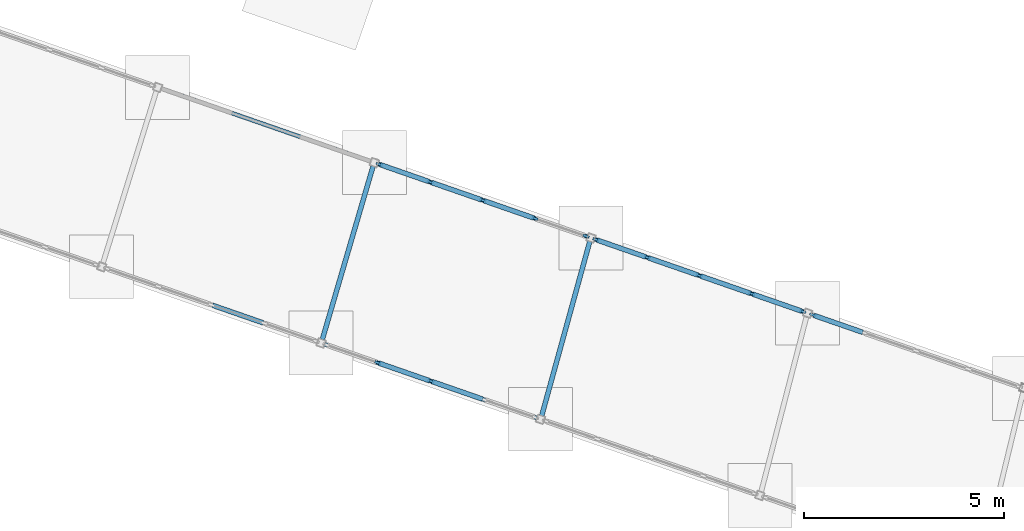
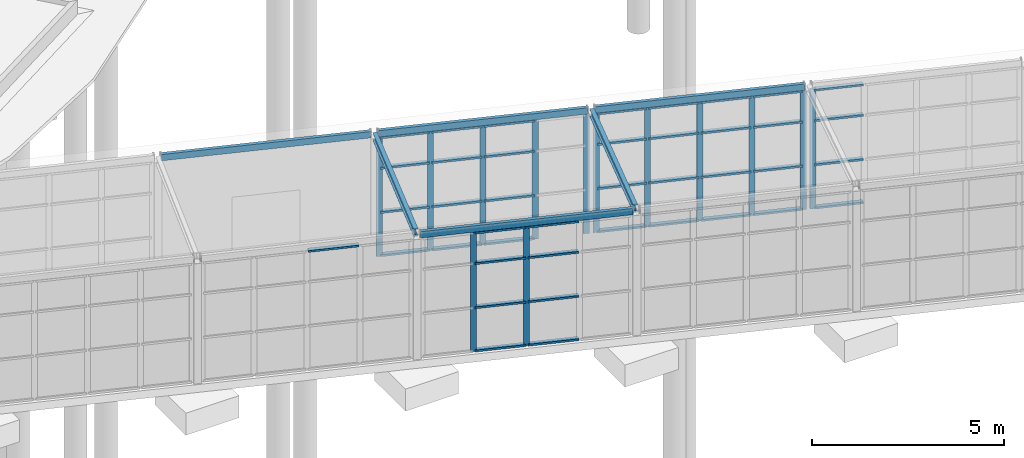
# One storey, part 53 of 226: 54 members, 6 beams, 5 elements without a shape of their own.
"""IFC4 building model written with IfcOpenShell, lengths in metres."""

import ifcopenshell
import ifcopenshell.guid

model = None  # the IFC model being written
_history = None  # IfcOwnerHistory: only IFC2X3 demands one
_inside = {}  # id of a spatial element -> (the spatial element, [elements in it])
_under = {}  # id of a project, library or spatial element -> (it, [spatial elements below it])
_declared = {}  # id of a project -> (the project, [libraries it declares])
_typed = {}  # id of a type object -> (the type object, [elements of that type])
_made_of = {}  # id of a material, layer set ... -> (it, [elements and type objects made of it])


def new_model(schema):
    """Start an empty IFC model of exactly this schema.

    Asked for "IFC4X3", IfcOpenShell would pick the latest addendum, in which some entities
    have other attributes; the version numbers below select the first issue.
    IFC2X3 requires an IfcOwnerHistory on every rooted entity: one is made here for all.
    """
    global model, _history
    if schema == "IFC4X3":
        model = ifcopenshell.file(schema_version=(4, 3, 0, 0))
    else:
        model = ifcopenshell.file(schema=schema)
    _inside.clear()
    _under.clear()
    _declared.clear()
    _typed.clear()
    _made_of.clear()
    _history = None
    if model.schema == "IFC2X3":
        org = make("IfcOrganization", Name="unknown")
        user = make(
            "IfcPersonAndOrganization",
            ThePerson=make("IfcPerson", FamilyName="unknown"),
            TheOrganization=org,
        )
        app = make(
            "IfcApplication",
            ApplicationDeveloper=org,
            Version="unknown",
            ApplicationFullName="unknown",
            ApplicationIdentifier="unknown",
        )
        _history = make(
            "IfcOwnerHistory",
            OwningUser=user,
            OwningApplication=app,
            ChangeAction="ADDED",
            CreationDate=0,
        )
    return model


def make(cls, **values):
    """One entity of the class cls with the attributes given. An attribute that is None is left unset."""
    return model.create_entity(
        cls, **{name: value for name, value in values.items() if value is not None}
    )


def rooted(cls, **values):
    """An entity with a GlobalId (a new one), such as an element, a storey or a relation."""
    return make(cls, GlobalId=ifcopenshell.guid.new(), OwnerHistory=_history, **values)


def si_unit(unit_type, name, prefix=None):
    """IfcSIUnit, for example si_unit("LENGTHUNIT", "METRE", prefix="MILLI")."""
    return make("IfcSIUnit", UnitType=unit_type, Prefix=prefix, Name=name)


def assignment(units):
    """IfcUnitAssignment: the units of a project."""
    return None if units is None else make("IfcUnitAssignment", Units=units)


def point(xyz):
    """IfcCartesianPoint."""
    return None if xyz is None else make("IfcCartesianPoint", Coordinates=xyz)


def direction(xyz):
    """IfcDirection."""
    return None if xyz is None else make("IfcDirection", DirectionRatios=xyz)


def frame(location, z_axis=None, x_axis=None):
    """IfcAxis2Placement3D, a coordinate frame: its origin and axes. An axis left out is left unset."""
    return make(
        "IfcAxis2Placement3D",
        Location=point(location),
        Axis=direction(z_axis),
        RefDirection=direction(x_axis),
    )


def frame_2d(location, x_axis=None):
    """IfcAxis2Placement2D, a coordinate frame in the plane: its origin and x axis."""
    return make(
        "IfcAxis2Placement2D", Location=point(location), RefDirection=direction(x_axis)
    )


def origin():
    """The frame at (0, 0, 0) with its axes left unset."""
    return frame((0.0, 0.0, 0.0))


def origin_2d():
    """The frame at (0, 0) in the plane with its x axis left unset."""
    return frame_2d((0.0, 0.0))


def place(relative_to, where):
    """IfcLocalPlacement: puts the frame where relative to a parent placement (None: the world)."""
    return make(
        "IfcLocalPlacement", PlacementRelTo=relative_to, RelativePlacement=where
    )


def context(
    kind, dimensions, precision=None, world=None, true_north=None, identifier=None
):
    """IfcGeometricRepresentationContext, for example the 3D "Model" context."""
    return make(
        "IfcGeometricRepresentationContext",
        ContextIdentifier=identifier,
        ContextType=kind,
        CoordinateSpaceDimension=dimensions,
        Precision=precision,
        WorldCoordinateSystem=world,
        TrueNorth=true_north,
    )


def subcontext(parent, identifier, kind, view, scale=None):
    """IfcGeometricRepresentationSubContext, for example "Body" below "Model"."""
    return make(
        "IfcGeometricRepresentationSubContext",
        ContextIdentifier=identifier,
        ContextType=kind,
        ParentContext=parent,
        TargetScale=scale,
        TargetView=view,
    )


def project(units=None, contexts=None):
    """IfcProject with its units and contexts."""
    return rooted(
        "IfcProject",
        Name="project",
        RepresentationContexts=contexts,
        UnitsInContext=assignment(units),
    )


def spatial(cls, under=None, at=None, **own):
    """A site, building, storey or space (cls), placed at a placement, below another one or the project."""
    s = rooted(cls, ObjectPlacement=at, **own)
    if under is not None:
        _under.setdefault(under.id(), (under, []))[1].append(s)
    return s


def profile(cls, at=None, kind="AREA", **sizes):
    """A parametric profile (cls). Its sizes go by their IFC names, for example OverallWidth=200.0."""
    return make(cls, ProfileType=kind, Position=at, **sizes)


def rectangle(**sizes):
    """IfcRectangleProfileDef."""
    return profile("IfcRectangleProfileDef", **sizes)


def hollow_rectangle(**sizes):
    """IfcRectangleHollowProfileDef."""
    return profile("IfcRectangleHollowProfileDef", **sizes)


def i_section(**sizes):
    """IfcIShapeProfileDef."""
    return profile("IfcIShapeProfileDef", **sizes)


def extrude(swept, where, along, depth):
    """IfcExtrudedAreaSolid: the profile swept, set in the frame where, extruded along a direction by depth."""
    return make(
        "IfcExtrudedAreaSolid",
        SweptArea=swept,
        Position=where,
        ExtrudedDirection=direction(along),
        Depth=depth,
    )


def shape(context_of_items, identifier, shape_type, items):
    """IfcShapeRepresentation: the items that make up one representation, for example the "Body"."""
    return make(
        "IfcShapeRepresentation",
        ContextOfItems=context_of_items,
        RepresentationIdentifier=identifier,
        RepresentationType=shape_type,
        Items=items,
    )


def material(Name=None, Category=None):
    """IfcMaterial."""
    return make("IfcMaterial", Name=Name, Category=Category)


def material_profile(
    of_material, cross_section, Name=None, Category=None, Priority=None
):
    """IfcMaterialProfile: a cross section and its material."""
    return make(
        "IfcMaterialProfile",
        Name=Name,
        Material=of_material,
        Profile=cross_section,
        Priority=Priority,
        Category=Category,
    )


def profile_set(profiles, Name=None, composite=None):
    """IfcMaterialProfileSet."""
    return make(
        "IfcMaterialProfileSet",
        Name=Name,
        MaterialProfiles=profiles,
        CompositeProfile=composite,
    )


def made_of(thing, what):
    """Note that an element or type object is made of a material, layer set ...; save() writes the relation."""
    if what is not None:
        _made_of.setdefault(what.id(), (what, []))[1].append(thing)
    return thing


def type_object(cls, material=None, **own):
    """A type object (cls), such as IfcWallType, which elements share."""
    return made_of(rooted(cls, **own), material)


def element(
    cls,
    number,
    at=None,
    inside=None,
    cuts=None,
    type_object=None,
    material=None,
    context=None,
    identifier="Body",
    shape_type=None,
    held_by="IfcProductDefinitionShape",
    body=None,
    shapes=None,
    **own,
):
    """One element of the class cls, such as IfcWall. Its Tag is "e" and its number.

    at: its placement. inside: the storey or other place that contains it. cuts: it is an
    opening in that element (IfcRelVoidsElement). A single representation is given by context,
    identifier, shape_type and body (its items); several are given by shapes. held_by: the class
    of the entity that holds the representations. save() writes the other relations.
    """
    e = rooted(cls, Tag="e%d" % number, ObjectPlacement=at, **own)
    if body is not None:
        shapes = [shape(context, identifier, shape_type, body)]
    if shapes is not None:
        e.Representation = make(held_by, Representations=shapes)
    if inside is not None:
        _inside.setdefault(inside.id(), (inside, []))[1].append(e)
    if cuts is not None:
        rooted(
            "IfcRelVoidsElement", RelatingBuildingElement=cuts, RelatedOpeningElement=e
        )
    if type_object is not None:
        _typed.setdefault(type_object.id(), (type_object, []))[1].append(e)
    return made_of(e, material)


def aggregate(whole, parts):
    """IfcRelAggregates: a whole, such as a stair, and the parts it consists of."""
    return rooted("IfcRelAggregates", RelatingObject=whole, RelatedObjects=parts)


def save(model, path):
    """Write the relations noted so far, then the file.

    IfcRelAggregates (storeys below a building ...), IfcRelContainedInSpatialStructure (elements
    in a storey), IfcRelDefinesByType, IfcRelAssociatesMaterial and IfcRelDeclares: one each for
    every whole, place, type object, material and project.
    """
    for whole, parts in _under.values():
        aggregate(whole, parts)
    for where, things in _inside.values():
        rooted(
            "IfcRelContainedInSpatialStructure",
            RelatedElements=things,
            RelatingStructure=where,
        )
    for kind, things in _typed.values():
        rooted("IfcRelDefinesByType", RelatedObjects=things, RelatingType=kind)
    for what, things in _made_of.values():
        rooted("IfcRelAssociatesMaterial", RelatedObjects=things, RelatingMaterial=what)
    for by, libraries in _declared.values():
        rooted("IfcRelDeclares", RelatingContext=by, RelatedDefinitions=libraries)
    model.write(path)


model = new_model("IFC4")

# Units and contexts
model_context = context("Model", 3, precision=1e-05, world=origin(), true_north=direction((0.0, 1.0)))
body_context = subcontext(model_context, "Body", "Model", "MODEL_VIEW")
ifc_project = project(units=[si_unit("LENGTHUNIT", "METRE"), si_unit("AREAUNIT", "SQUARE_METRE"), si_unit("VOLUMEUNIT", "CUBIC_METRE"), si_unit("PLANEANGLEUNIT", "RADIAN"), si_unit("MASSUNIT", "GRAM", prefix="KILO")], contexts=[model_context])

# Site, building, storey
site_placement = place(None, origin())
site = spatial("IfcSite", under=ifc_project, at=site_placement, CompositionType="ELEMENT")
building_placement = place(site_placement, origin())
building = spatial("IfcBuilding", under=site, at=building_placement, Name="Ceibo Conservatory and Research Tower", CompositionType="ELEMENT")
storey_placement = place(building_placement, origin())
storey = spatial("IfcBuildingStorey", under=building, at=storey_placement, Name="L00", CompositionType="ELEMENT", Elevation=0.0)

# Curtain wall, members
ifc_material_1 = material(Name="Aluminium and glass", Category="aluminium")
curtain_wall_type = type_object("IfcCurtainWallType", Name="Gallery curtain wall", PredefinedType="NOTDEFINED", material=ifc_material_1)
curtain_wall_1_placement = place(storey_placement, origin())
curtain_wall_1 = element("IfcCurtainWall", 1, at=curtain_wall_1_placement, inside=storey, type_object=curtain_wall_type, Name="Gallery curtain wall AUD-VC-CWN09", PredefinedType="NOTDEFINED")
ifc_material_2 = material(Name="Aluminium", Category="aluminium")
ifc_material_profile_1 = material_profile(ifc_material_2, rectangle(XDim=0.06005859375, YDim=0.159912109375, at=origin_2d()), Name="AL 60x160")
ifc_profile_set_1 = profile_set([ifc_material_profile_1], Name="Aluminium")
member_type_1 = type_object("IfcMemberType", Name="Gallery mullion 60x160", PredefinedType="MULLION", material=ifc_profile_set_1)
member_1_placement = place(storey_placement, frame((110.107177734375, 54.890869140625, 0.0), z_axis=(0.0, 0.0, 1.0), x_axis=(0.328283515513, 0.944579236191, 0.0)))
member_1 = element("IfcMember", 2, at=member_1_placement, type_object=member_type_1, Name="AUD-VC-CWN09 mullion 1", PredefinedType="MULLION", context=body_context, shape_type="SweptSolid", body=[
    extrude(rectangle(XDim=0.06005859375, YDim=0.159912109375, at=origin_2d()), origin(), (0.0, 0.0, 1.0), 3.800048828125),
])
member_2_placement = place(storey_placement, frame((111.38671875, 54.4462890625, 0.0), z_axis=(0.0, 0.0, 1.0), x_axis=(0.328283515513, 0.944579236191, 0.0)))
member_2 = element("IfcMember", 3, at=member_2_placement, type_object=member_type_1, Name="AUD-VC-CWN09 mullion 2", PredefinedType="MULLION", context=body_context, shape_type="SweptSolid", body=[
    extrude(rectangle(XDim=0.06005859375, YDim=0.159912109375, at=origin_2d()), origin(), (0.0, 0.0, 1.0), 3.800048828125),
])
member_3_placement = place(storey_placement, frame((112.694580078125, 53.99169921875, 0.0), z_axis=(0.0, 0.0, 1.0), x_axis=(0.328283515513, 0.944579236191, 0.0)))
member_3 = element("IfcMember", 4, at=member_3_placement, type_object=member_type_1, Name="AUD-VC-CWN09 mullion 3", PredefinedType="MULLION", context=body_context, shape_type="SweptSolid", body=[
    extrude(rectangle(XDim=0.06005859375, YDim=0.159912109375, at=origin_2d()), origin(), (0.0, 0.0, 1.0), 3.800048828125),
])
member_4_placement = place(storey_placement, frame((114.00244140625, 53.537109375, 0.0), z_axis=(0.0, 0.0, 1.0), x_axis=(0.328283515513, 0.944579236191, 0.0)))
member_4 = element("IfcMember", 5, at=member_4_placement, type_object=member_type_1, Name="AUD-VC-CWN09 mullion 4", PredefinedType="MULLION", context=body_context, shape_type="SweptSolid", body=[
    extrude(rectangle(XDim=0.06005859375, YDim=0.159912109375, at=origin_2d()), origin(), (0.0, 0.0, 1.0), 3.800048828125),
])
member_5_placement = place(storey_placement, frame((115.281982421875, 53.09228515625, 0.0), z_axis=(0.0, 0.0, 1.0), x_axis=(0.328283515513, 0.944579236191, 0.0)))
member_5 = element("IfcMember", 6, at=member_5_placement, type_object=member_type_1, Name="AUD-VC-CWN09 mullion 5", PredefinedType="MULLION", context=body_context, shape_type="SweptSolid", body=[
    extrude(rectangle(XDim=0.06005859375, YDim=0.159912109375, at=origin_2d()), origin(), (0.0, 0.0, 1.0), 3.800048828125),
])

curtain_wall_2_placement = place(storey_placement, origin())
curtain_wall_2 = element("IfcCurtainWall", 7, at=curtain_wall_2_placement, inside=storey, type_object=curtain_wall_type, Name="Gallery curtain wall AUD-VC-CWN10", PredefinedType="NOTDEFINED")
member_6_placement = place(storey_placement, frame((115.527587890625, 53.007080078125, 0.0), z_axis=(0.0, 0.0, 1.0), x_axis=(0.328283515513, 0.944579236191, 0.0)))
member_6 = element("IfcMember", 8, at=member_6_placement, type_object=member_type_1, Name="AUD-VC-CWN10 mullion 1", PredefinedType="MULLION", context=body_context, shape_type="SweptSolid", body=[
    extrude(rectangle(XDim=0.06005859375, YDim=0.159912109375, at=origin_2d()), origin(), (0.0, 0.0, 1.0), 3.800048828125),
])
member_7_placement = place(storey_placement, frame((116.807373046875, 52.562255859375, 0.0), z_axis=(0.0, 0.0, 1.0), x_axis=(0.328283515513, 0.944579236191, 0.0)))
member_7 = element("IfcMember", 9, at=member_7_placement, type_object=member_type_1, Name="AUD-VC-CWN10 mullion 2", PredefinedType="MULLION", context=body_context, shape_type="SweptSolid", body=[
    extrude(rectangle(XDim=0.06005859375, YDim=0.159912109375, at=origin_2d()), origin(), (0.0, 0.0, 1.0), 3.800048828125),
])
member_8_placement = place(storey_placement, frame((118.115234375, 52.107666015625, 0.0), z_axis=(0.0, 0.0, 1.0), x_axis=(0.328283515513, 0.944579236191, 0.0)))
member_8 = element("IfcMember", 10, at=member_8_placement, type_object=member_type_1, Name="AUD-VC-CWN10 mullion 3", PredefinedType="MULLION", context=body_context, shape_type="SweptSolid", body=[
    extrude(rectangle(XDim=0.06005859375, YDim=0.159912109375, at=origin_2d()), origin(), (0.0, 0.0, 1.0), 3.800048828125),
])
member_9_placement = place(storey_placement, frame((119.423095703125, 51.653076171875, 0.0), z_axis=(0.0, 0.0, 1.0), x_axis=(0.328283515513, 0.944579236191, 0.0)))
member_9 = element("IfcMember", 11, at=member_9_placement, type_object=member_type_1, Name="AUD-VC-CWN10 mullion 4", PredefinedType="MULLION", context=body_context, shape_type="SweptSolid", body=[
    extrude(rectangle(XDim=0.06005859375, YDim=0.159912109375, at=origin_2d()), origin(), (0.0, 0.0, 1.0), 3.800048828125),
])
member_10_placement = place(storey_placement, frame((120.70263671875, 51.20849609375, 0.0), z_axis=(0.0, 0.0, 1.0), x_axis=(0.328283515513, 0.944579236191, 0.0)))
member_10 = element("IfcMember", 12, at=member_10_placement, type_object=member_type_1, Name="AUD-VC-CWN10 mullion 5", PredefinedType="MULLION", context=body_context, shape_type="SweptSolid", body=[
    extrude(rectangle(XDim=0.06005859375, YDim=0.159912109375, at=origin_2d()), origin(), (0.0, 0.0, 1.0), 3.800048828125),
])

# Curtain wall, member
curtain_wall_3_placement = place(storey_placement, origin())
curtain_wall_3 = element("IfcCurtainWall", 13, at=curtain_wall_3_placement, inside=storey, type_object=curtain_wall_type, Name="Gallery curtain wall AUD-VC-CWN11", PredefinedType="NOTDEFINED")
member_11_placement = place(storey_placement, frame((120.9482421875, 51.123046875, 0.0), z_axis=(0.0, 0.0, 1.0), x_axis=(0.328283515513, 0.944579236191, 0.0)))
member_11 = element("IfcMember", 14, at=member_11_placement, type_object=member_type_1, Name="AUD-VC-CWN11 mullion 1", PredefinedType="MULLION", context=body_context, shape_type="SweptSolid", body=[
    extrude(rectangle(XDim=0.06005859375, YDim=0.159912109375, at=origin_2d()), origin(), (0.0, 0.0, 1.0), 3.800048828125),
])

# Curtain wall, members
curtain_wall_4_placement = place(storey_placement, origin())
curtain_wall_4 = element("IfcCurtainWall", 15, at=curtain_wall_4_placement, inside=storey, type_object=curtain_wall_type, Name="Gallery curtain wall AUD-VC-CWS09", PredefinedType="NOTDEFINED")
member_12_placement = place(storey_placement, frame((110.071533203125, 49.927490234375, 0.0), z_axis=(0.0, 0.0, 1.0), x_axis=(0.328283515513, 0.944579236191, 0.0)))
member_12 = element("IfcMember", 16, at=member_12_placement, type_object=member_type_1, Name="AUD-VC-CWS09 mullion 2", PredefinedType="MULLION", context=body_context, shape_type="SweptSolid", body=[
    extrude(rectangle(XDim=0.06005859375, YDim=0.159912109375, at=origin_2d()), origin(), (0.0, 0.0, 1.0), 3.800048828125),
])
member_13_placement = place(storey_placement, frame((111.396484375, 49.467041015625, 0.0), z_axis=(0.0, 0.0, 1.0), x_axis=(0.328283515513, 0.944579236191, 0.0)))
member_13 = element("IfcMember", 17, at=member_13_placement, type_object=member_type_1, Name="AUD-VC-CWS09 mullion 3", PredefinedType="MULLION", context=body_context, shape_type="SweptSolid", body=[
    extrude(rectangle(XDim=0.06005859375, YDim=0.159912109375, at=origin_2d()), origin(), (0.0, 0.0, 1.0), 3.800048828125),
])

# Member
ifc_material_profile_2 = material_profile(ifc_material_2, rectangle(XDim=0.1201171875, YDim=0.06005859375, at=origin_2d()), Name="AL 60x120")
ifc_profile_set_2 = profile_set([ifc_material_profile_2], Name="Aluminium")
member_type_2 = type_object("IfcMemberType", Name="Gallery transom 60x120", PredefinedType="USERDEFINED", material=ifc_profile_set_2)
member_14_placement = place(storey_placement, frame((110.135498046875, 54.881103515625, 0.030029296875), z_axis=(0.944570549154, -0.328308509898, 0.0), x_axis=(0.328308509898, 0.944570549154, 0.0)))
member_14 = element("IfcMember", 18, at=member_14_placement, type_object=member_type_2, Name="AUD-VC-CWN09 transom 1.1", ObjectType="TRANSOM", PredefinedType="USERDEFINED", context=body_context, shape_type="SweptSolid", body=[
    extrude(rectangle(XDim=0.1201171875, YDim=0.06005859375, at=origin_2d()), origin(), (0.0, 0.0, 1.0), 1.294677734375),
])

member_15_placement = place(storey_placement, frame((110.135498046875, 54.881103515625, 1.39990234375), z_axis=(0.944570549154, -0.328308509898, 0.0), x_axis=(0.328308509898, 0.944570549154, 0.0)))
member_15 = element("IfcMember", 19, at=member_15_placement, type_object=member_type_2, Name="AUD-VC-CWN09 transom 1.2", ObjectType="TRANSOM", PredefinedType="USERDEFINED", context=body_context, shape_type="SweptSolid", body=[
    extrude(rectangle(XDim=0.1201171875, YDim=0.06005859375, at=origin_2d()), origin(), (0.0, 0.0, 1.0), 1.294677734375),
])

member_16_placement = place(storey_placement, frame((110.135498046875, 54.881103515625, 2.800048828125), z_axis=(0.944570549154, -0.328308509898, 0.0), x_axis=(0.328308509898, 0.944570549154, 0.0)))
member_16 = element("IfcMember", 20, at=member_16_placement, type_object=member_type_2, Name="AUD-VC-CWN09 transom 1.3", ObjectType="TRANSOM", PredefinedType="USERDEFINED", context=body_context, shape_type="SweptSolid", body=[
    extrude(rectangle(XDim=0.1201171875, YDim=0.06005859375, at=origin_2d()), origin(), (0.0, 0.0, 1.0), 1.294677734375),
])

member_17_placement = place(storey_placement, frame((110.135498046875, 54.881103515625, 3.77001953125), z_axis=(0.944570549154, -0.328308509898, 0.0), x_axis=(0.328308509898, 0.944570549154, 0.0)))
member_17 = element("IfcMember", 21, at=member_17_placement, type_object=member_type_2, Name="AUD-VC-CWN09 transom 1.4", ObjectType="TRANSOM", PredefinedType="USERDEFINED", context=body_context, shape_type="SweptSolid", body=[
    extrude(rectangle(XDim=0.1201171875, YDim=0.06005859375, at=origin_2d()), origin(), (0.0, 0.0, 1.0), 1.294677734375),
])

member_18_placement = place(storey_placement, frame((111.4150390625, 54.436279296875, 0.030029296875), z_axis=(0.944588759267, -0.32825611322, 0.0), x_axis=(0.32825611322, 0.944588759267, 0.0)))
member_18 = element("IfcMember", 22, at=member_18_placement, type_object=member_type_2, Name="AUD-VC-CWN09 transom 2.1", ObjectType="TRANSOM", PredefinedType="USERDEFINED", context=body_context, shape_type="SweptSolid", body=[
    extrude(rectangle(XDim=0.1201171875, YDim=0.06005859375, at=origin_2d()), origin(), (0.0, 0.0, 1.0), 1.32470703125),
])

member_19_placement = place(storey_placement, frame((111.4150390625, 54.436279296875, 1.39990234375), z_axis=(0.944588759267, -0.32825611322, 0.0), x_axis=(0.32825611322, 0.944588759267, 0.0)))
member_19 = element("IfcMember", 23, at=member_19_placement, type_object=member_type_2, Name="AUD-VC-CWN09 transom 2.2", ObjectType="TRANSOM", PredefinedType="USERDEFINED", context=body_context, shape_type="SweptSolid", body=[
    extrude(rectangle(XDim=0.1201171875, YDim=0.06005859375, at=origin_2d()), origin(), (0.0, 0.0, 1.0), 1.32470703125),
])

member_20_placement = place(storey_placement, frame((111.4150390625, 54.436279296875, 2.800048828125), z_axis=(0.944588759267, -0.32825611322, 0.0), x_axis=(0.32825611322, 0.944588759267, 0.0)))
member_20 = element("IfcMember", 24, at=member_20_placement, type_object=member_type_2, Name="AUD-VC-CWN09 transom 2.3", ObjectType="TRANSOM", PredefinedType="USERDEFINED", context=body_context, shape_type="SweptSolid", body=[
    extrude(rectangle(XDim=0.1201171875, YDim=0.06005859375, at=origin_2d()), origin(), (0.0, 0.0, 1.0), 1.32470703125),
])

member_21_placement = place(storey_placement, frame((111.4150390625, 54.436279296875, 3.77001953125), z_axis=(0.944588759267, -0.32825611322, 0.0), x_axis=(0.32825611322, 0.944588759267, 0.0)))
member_21 = element("IfcMember", 25, at=member_21_placement, type_object=member_type_2, Name="AUD-VC-CWN09 transom 2.4", ObjectType="TRANSOM", PredefinedType="USERDEFINED", context=body_context, shape_type="SweptSolid", body=[
    extrude(rectangle(XDim=0.1201171875, YDim=0.06005859375, at=origin_2d()), origin(), (0.0, 0.0, 1.0), 1.32470703125),
])

member_22_placement = place(storey_placement, frame((112.722900390625, 53.981689453125, 0.030029296875), z_axis=(0.944588759267, -0.32825611322, 0.0), x_axis=(0.32825611322, 0.944588759267, 0.0)))
member_22 = element("IfcMember", 26, at=member_22_placement, type_object=member_type_2, Name="AUD-VC-CWN09 transom 3.1", ObjectType="TRANSOM", PredefinedType="USERDEFINED", context=body_context, shape_type="SweptSolid", body=[
    extrude(rectangle(XDim=0.1201171875, YDim=0.06005859375, at=origin_2d()), origin(), (0.0, 0.0, 1.0), 1.32470703125),
])

member_23_placement = place(storey_placement, frame((112.722900390625, 53.981689453125, 1.39990234375), z_axis=(0.944588759267, -0.32825611322, 0.0), x_axis=(0.32825611322, 0.944588759267, 0.0)))
member_23 = element("IfcMember", 27, at=member_23_placement, type_object=member_type_2, Name="AUD-VC-CWN09 transom 3.2", ObjectType="TRANSOM", PredefinedType="USERDEFINED", context=body_context, shape_type="SweptSolid", body=[
    extrude(rectangle(XDim=0.1201171875, YDim=0.06005859375, at=origin_2d()), origin(), (0.0, 0.0, 1.0), 1.32470703125),
])

member_24_placement = place(storey_placement, frame((112.722900390625, 53.981689453125, 2.800048828125), z_axis=(0.944588759267, -0.32825611322, 0.0), x_axis=(0.32825611322, 0.944588759267, 0.0)))
member_24 = element("IfcMember", 28, at=member_24_placement, type_object=member_type_2, Name="AUD-VC-CWN09 transom 3.3", ObjectType="TRANSOM", PredefinedType="USERDEFINED", context=body_context, shape_type="SweptSolid", body=[
    extrude(rectangle(XDim=0.1201171875, YDim=0.06005859375, at=origin_2d()), origin(), (0.0, 0.0, 1.0), 1.32470703125),
])

member_25_placement = place(storey_placement, frame((112.722900390625, 53.981689453125, 3.77001953125), z_axis=(0.944588759267, -0.32825611322, 0.0), x_axis=(0.32825611322, 0.944588759267, 0.0)))
member_25 = element("IfcMember", 29, at=member_25_placement, type_object=member_type_2, Name="AUD-VC-CWN09 transom 3.4", ObjectType="TRANSOM", PredefinedType="USERDEFINED", context=body_context, shape_type="SweptSolid", body=[
    extrude(rectangle(XDim=0.1201171875, YDim=0.06005859375, at=origin_2d()), origin(), (0.0, 0.0, 1.0), 1.32470703125),
])

aggregate(curtain_wall_1, [member_1, member_2, member_3, member_4, member_5, member_14, member_15, member_16, member_17, member_18, member_19, member_20, member_21, member_22, member_23, member_24, member_25])

member_26_placement = place(storey_placement, frame((115.555908203125, 52.9970703125, 0.030029296875), z_axis=(0.944570549154, -0.328308509898, 0.0), x_axis=(0.328308509898, 0.944570549154, 0.0)))
member_26 = element("IfcMember", 30, at=member_26_placement, type_object=member_type_2, Name="AUD-VC-CWN10 transom 1.1", ObjectType="TRANSOM", PredefinedType="USERDEFINED", context=body_context, shape_type="SweptSolid", body=[
    extrude(rectangle(XDim=0.1201171875, YDim=0.06005859375, at=origin_2d()), origin(), (0.0, 0.0, 1.0), 1.294677734375),
])

member_27_placement = place(storey_placement, frame((115.555908203125, 52.9970703125, 1.39990234375), z_axis=(0.944570549154, -0.328308509898, 0.0), x_axis=(0.328308509898, 0.944570549154, 0.0)))
member_27 = element("IfcMember", 31, at=member_27_placement, type_object=member_type_2, Name="AUD-VC-CWN10 transom 1.2", ObjectType="TRANSOM", PredefinedType="USERDEFINED", context=body_context, shape_type="SweptSolid", body=[
    extrude(rectangle(XDim=0.1201171875, YDim=0.06005859375, at=origin_2d()), origin(), (0.0, 0.0, 1.0), 1.294677734375),
])

member_28_placement = place(storey_placement, frame((115.555908203125, 52.9970703125, 2.800048828125), z_axis=(0.944570549154, -0.328308509898, 0.0), x_axis=(0.328308509898, 0.944570549154, 0.0)))
member_28 = element("IfcMember", 32, at=member_28_placement, type_object=member_type_2, Name="AUD-VC-CWN10 transom 1.3", ObjectType="TRANSOM", PredefinedType="USERDEFINED", context=body_context, shape_type="SweptSolid", body=[
    extrude(rectangle(XDim=0.1201171875, YDim=0.06005859375, at=origin_2d()), origin(), (0.0, 0.0, 1.0), 1.294677734375),
])

member_29_placement = place(storey_placement, frame((115.555908203125, 52.9970703125, 3.77001953125), z_axis=(0.944570549154, -0.328308509898, 0.0), x_axis=(0.328308509898, 0.944570549154, 0.0)))
member_29 = element("IfcMember", 33, at=member_29_placement, type_object=member_type_2, Name="AUD-VC-CWN10 transom 1.4", ObjectType="TRANSOM", PredefinedType="USERDEFINED", context=body_context, shape_type="SweptSolid", body=[
    extrude(rectangle(XDim=0.1201171875, YDim=0.06005859375, at=origin_2d()), origin(), (0.0, 0.0, 1.0), 1.294677734375),
])

member_30_placement = place(storey_placement, frame((116.835693359375, 52.552490234375, 0.030029296875), z_axis=(0.944588759267, -0.32825611322, 0.0), x_axis=(0.32825611322, 0.944588759267, 0.0)))
member_30 = element("IfcMember", 34, at=member_30_placement, type_object=member_type_2, Name="AUD-VC-CWN10 transom 2.1", ObjectType="TRANSOM", PredefinedType="USERDEFINED", context=body_context, shape_type="SweptSolid", body=[
    extrude(rectangle(XDim=0.1201171875, YDim=0.06005859375, at=origin_2d()), origin(), (0.0, 0.0, 1.0), 1.32470703125),
])

member_31_placement = place(storey_placement, frame((116.835693359375, 52.552490234375, 1.39990234375), z_axis=(0.944588759267, -0.32825611322, 0.0), x_axis=(0.32825611322, 0.944588759267, 0.0)))
member_31 = element("IfcMember", 35, at=member_31_placement, type_object=member_type_2, Name="AUD-VC-CWN10 transom 2.2", ObjectType="TRANSOM", PredefinedType="USERDEFINED", context=body_context, shape_type="SweptSolid", body=[
    extrude(rectangle(XDim=0.1201171875, YDim=0.06005859375, at=origin_2d()), origin(), (0.0, 0.0, 1.0), 1.32470703125),
])

member_32_placement = place(storey_placement, frame((116.835693359375, 52.552490234375, 2.800048828125), z_axis=(0.944588759267, -0.32825611322, 0.0), x_axis=(0.32825611322, 0.944588759267, 0.0)))
member_32 = element("IfcMember", 36, at=member_32_placement, type_object=member_type_2, Name="AUD-VC-CWN10 transom 2.3", ObjectType="TRANSOM", PredefinedType="USERDEFINED", context=body_context, shape_type="SweptSolid", body=[
    extrude(rectangle(XDim=0.1201171875, YDim=0.06005859375, at=origin_2d()), origin(), (0.0, 0.0, 1.0), 1.32470703125),
])

member_33_placement = place(storey_placement, frame((116.835693359375, 52.552490234375, 3.77001953125), z_axis=(0.944588759267, -0.32825611322, 0.0), x_axis=(0.32825611322, 0.944588759267, 0.0)))
member_33 = element("IfcMember", 37, at=member_33_placement, type_object=member_type_2, Name="AUD-VC-CWN10 transom 2.4", ObjectType="TRANSOM", PredefinedType="USERDEFINED", context=body_context, shape_type="SweptSolid", body=[
    extrude(rectangle(XDim=0.1201171875, YDim=0.06005859375, at=origin_2d()), origin(), (0.0, 0.0, 1.0), 1.32470703125),
])

member_34_placement = place(storey_placement, frame((118.1435546875, 52.097900390625, 0.030029296875), z_axis=(0.944588759267, -0.32825611322, 0.0), x_axis=(0.32825611322, 0.944588759267, 0.0)))
member_34 = element("IfcMember", 38, at=member_34_placement, type_object=member_type_2, Name="AUD-VC-CWN10 transom 3.1", ObjectType="TRANSOM", PredefinedType="USERDEFINED", context=body_context, shape_type="SweptSolid", body=[
    extrude(rectangle(XDim=0.1201171875, YDim=0.06005859375, at=origin_2d()), origin(), (0.0, 0.0, 1.0), 1.32470703125),
])

member_35_placement = place(storey_placement, frame((118.1435546875, 52.097900390625, 1.39990234375), z_axis=(0.944588759267, -0.32825611322, 0.0), x_axis=(0.32825611322, 0.944588759267, 0.0)))
member_35 = element("IfcMember", 39, at=member_35_placement, type_object=member_type_2, Name="AUD-VC-CWN10 transom 3.2", ObjectType="TRANSOM", PredefinedType="USERDEFINED", context=body_context, shape_type="SweptSolid", body=[
    extrude(rectangle(XDim=0.1201171875, YDim=0.06005859375, at=origin_2d()), origin(), (0.0, 0.0, 1.0), 1.32470703125),
])

member_36_placement = place(storey_placement, frame((118.1435546875, 52.097900390625, 2.800048828125), z_axis=(0.944588759267, -0.32825611322, 0.0), x_axis=(0.32825611322, 0.944588759267, 0.0)))
member_36 = element("IfcMember", 40, at=member_36_placement, type_object=member_type_2, Name="AUD-VC-CWN10 transom 3.3", ObjectType="TRANSOM", PredefinedType="USERDEFINED", context=body_context, shape_type="SweptSolid", body=[
    extrude(rectangle(XDim=0.1201171875, YDim=0.06005859375, at=origin_2d()), origin(), (0.0, 0.0, 1.0), 1.32470703125),
])

member_37_placement = place(storey_placement, frame((118.1435546875, 52.097900390625, 3.77001953125), z_axis=(0.944588759267, -0.32825611322, 0.0), x_axis=(0.32825611322, 0.944588759267, 0.0)))
member_37 = element("IfcMember", 41, at=member_37_placement, type_object=member_type_2, Name="AUD-VC-CWN10 transom 3.4", ObjectType="TRANSOM", PredefinedType="USERDEFINED", context=body_context, shape_type="SweptSolid", body=[
    extrude(rectangle(XDim=0.1201171875, YDim=0.06005859375, at=origin_2d()), origin(), (0.0, 0.0, 1.0), 1.32470703125),
])

member_38_placement = place(storey_placement, frame((119.451416015625, 51.643310546875, 0.030029296875), z_axis=(0.944570549154, -0.328308509898, 0.0), x_axis=(0.328308509898, 0.944570549154, 0.0)))
member_38 = element("IfcMember", 42, at=member_38_placement, type_object=member_type_2, Name="AUD-VC-CWN10 transom 4.1", ObjectType="TRANSOM", PredefinedType="USERDEFINED", context=body_context, shape_type="SweptSolid", body=[
    extrude(rectangle(XDim=0.1201171875, YDim=0.06005859375, at=origin_2d()), origin(), (0.0, 0.0, 1.0), 1.294677734375),
])

member_39_placement = place(storey_placement, frame((119.451416015625, 51.643310546875, 1.39990234375), z_axis=(0.944570549154, -0.328308509898, 0.0), x_axis=(0.328308509898, 0.944570549154, 0.0)))
member_39 = element("IfcMember", 43, at=member_39_placement, type_object=member_type_2, Name="AUD-VC-CWN10 transom 4.2", ObjectType="TRANSOM", PredefinedType="USERDEFINED", context=body_context, shape_type="SweptSolid", body=[
    extrude(rectangle(XDim=0.1201171875, YDim=0.06005859375, at=origin_2d()), origin(), (0.0, 0.0, 1.0), 1.294677734375),
])

member_40_placement = place(storey_placement, frame((119.451416015625, 51.643310546875, 2.800048828125), z_axis=(0.944570549154, -0.328308509898, 0.0), x_axis=(0.328308509898, 0.944570549154, 0.0)))
member_40 = element("IfcMember", 44, at=member_40_placement, type_object=member_type_2, Name="AUD-VC-CWN10 transom 4.3", ObjectType="TRANSOM", PredefinedType="USERDEFINED", context=body_context, shape_type="SweptSolid", body=[
    extrude(rectangle(XDim=0.1201171875, YDim=0.06005859375, at=origin_2d()), origin(), (0.0, 0.0, 1.0), 1.294677734375),
])

member_41_placement = place(storey_placement, frame((119.451416015625, 51.643310546875, 3.77001953125), z_axis=(0.944570549154, -0.328308509898, 0.0), x_axis=(0.328308509898, 0.944570549154, 0.0)))
member_41 = element("IfcMember", 45, at=member_41_placement, type_object=member_type_2, Name="AUD-VC-CWN10 transom 4.4", ObjectType="TRANSOM", PredefinedType="USERDEFINED", context=body_context, shape_type="SweptSolid", body=[
    extrude(rectangle(XDim=0.1201171875, YDim=0.06005859375, at=origin_2d()), origin(), (0.0, 0.0, 1.0), 1.294677734375),
])

aggregate(curtain_wall_2, [member_6, member_7, member_8, member_9, member_10, member_26, member_27, member_28, member_29, member_30, member_31, member_32, member_33, member_34, member_35, member_36, member_37, member_38, member_39, member_40, member_41])

member_42_placement = place(storey_placement, frame((120.9765625, 51.11328125, 0.030029296875), z_axis=(0.944570549154, -0.328308509898, 0.0), x_axis=(0.328308509898, 0.944570549154, 0.0)))
member_42 = element("IfcMember", 46, at=member_42_placement, type_object=member_type_2, Name="AUD-VC-CWN11 transom 1.1", ObjectType="TRANSOM", PredefinedType="USERDEFINED", context=body_context, shape_type="SweptSolid", body=[
    extrude(rectangle(XDim=0.1201171875, YDim=0.06005859375, at=origin_2d()), origin(), (0.0, 0.0, 1.0), 1.294677734375),
])

member_43_placement = place(storey_placement, frame((120.9765625, 51.11328125, 1.39990234375), z_axis=(0.944570549154, -0.328308509898, 0.0), x_axis=(0.328308509898, 0.944570549154, 0.0)))
member_43 = element("IfcMember", 47, at=member_43_placement, type_object=member_type_2, Name="AUD-VC-CWN11 transom 1.2", ObjectType="TRANSOM", PredefinedType="USERDEFINED", context=body_context, shape_type="SweptSolid", body=[
    extrude(rectangle(XDim=0.1201171875, YDim=0.06005859375, at=origin_2d()), origin(), (0.0, 0.0, 1.0), 1.294677734375),
])

member_44_placement = place(storey_placement, frame((120.9765625, 51.11328125, 2.800048828125), z_axis=(0.944570549154, -0.328308509898, 0.0), x_axis=(0.328308509898, 0.944570549154, 0.0)))
member_44 = element("IfcMember", 48, at=member_44_placement, type_object=member_type_2, Name="AUD-VC-CWN11 transom 1.3", ObjectType="TRANSOM", PredefinedType="USERDEFINED", context=body_context, shape_type="SweptSolid", body=[
    extrude(rectangle(XDim=0.1201171875, YDim=0.06005859375, at=origin_2d()), origin(), (0.0, 0.0, 1.0), 1.294677734375),
])

member_45_placement = place(storey_placement, frame((120.9765625, 51.11328125, 3.77001953125), z_axis=(0.944570549154, -0.328308509898, 0.0), x_axis=(0.328308509898, 0.944570549154, 0.0)))
member_45 = element("IfcMember", 49, at=member_45_placement, type_object=member_type_2, Name="AUD-VC-CWN11 transom 1.4", ObjectType="TRANSOM", PredefinedType="USERDEFINED", context=body_context, shape_type="SweptSolid", body=[
    extrude(rectangle(XDim=0.1201171875, YDim=0.06005859375, at=origin_2d()), origin(), (0.0, 0.0, 1.0), 1.294677734375),
])

aggregate(curtain_wall_3, [member_11, member_42, member_43, member_44, member_45])

# Curtain wall, member
curtain_wall_5_placement = place(storey_placement, origin())
curtain_wall_5 = element("IfcCurtainWall", 50, at=curtain_wall_5_placement, inside=storey, type_object=curtain_wall_type, Name="Gallery curtain wall AUD-VC-CWS08", PredefinedType="NOTDEFINED")
member_46_placement = place(storey_placement, frame((105.9365234375, 51.364501953125, 3.77001953125), z_axis=(0.944587537953, -0.328259627648, 0.0), x_axis=(0.328259627648, 0.944587537953, 0.0)))
member_46 = element("IfcMember", 51, at=member_46_placement, type_object=member_type_2, Name="AUD-VC-CWS08 transom 3.4", ObjectType="TRANSOM", PredefinedType="USERDEFINED", context=body_context, shape_type="SweptSolid", body=[
    extrude(rectangle(XDim=0.1201171875, YDim=0.06005859375, at=origin_2d()), origin(), (0.0, 0.0, 1.0), 1.342529296875),
])
aggregate(curtain_wall_5, [member_46])

# Member
member_47_placement = place(storey_placement, frame((110.10009765625, 49.917724609375, 0.030029296875), z_axis=(0.944531137663, -0.328421878055, 0.0), x_axis=(0.328421878055, 0.944531137663, 0.0)))
member_47 = element("IfcMember", 52, at=member_47_placement, type_object=member_type_2, Name="AUD-VC-CWS09 transom 2.1", ObjectType="TRANSOM", PredefinedType="USERDEFINED", context=body_context, shape_type="SweptSolid", body=[
    extrude(rectangle(XDim=0.1201171875, YDim=0.06005859375, at=origin_2d()), origin(), (0.0, 0.0, 1.0), 1.342529296875),
])

member_48_placement = place(storey_placement, frame((110.10009765625, 49.917724609375, 1.39990234375), z_axis=(0.944531137663, -0.328421878055, 0.0), x_axis=(0.328421878055, 0.944531137663, 0.0)))
member_48 = element("IfcMember", 53, at=member_48_placement, type_object=member_type_2, Name="AUD-VC-CWS09 transom 2.2", ObjectType="TRANSOM", PredefinedType="USERDEFINED", context=body_context, shape_type="SweptSolid", body=[
    extrude(rectangle(XDim=0.1201171875, YDim=0.06005859375, at=origin_2d()), origin(), (0.0, 0.0, 1.0), 1.342529296875),
])

member_49_placement = place(storey_placement, frame((110.10009765625, 49.917724609375, 2.800048828125), z_axis=(0.944531137663, -0.328421878055, 0.0), x_axis=(0.328421878055, 0.944531137663, 0.0)))
member_49 = element("IfcMember", 54, at=member_49_placement, type_object=member_type_2, Name="AUD-VC-CWS09 transom 2.3", ObjectType="TRANSOM", PredefinedType="USERDEFINED", context=body_context, shape_type="SweptSolid", body=[
    extrude(rectangle(XDim=0.1201171875, YDim=0.06005859375, at=origin_2d()), origin(), (0.0, 0.0, 1.0), 1.342529296875),
])

member_50_placement = place(storey_placement, frame((110.10009765625, 49.917724609375, 3.77001953125), z_axis=(0.944531137663, -0.328421878055, 0.0), x_axis=(0.328421878055, 0.944531137663, 0.0)))
member_50 = element("IfcMember", 55, at=member_50_placement, type_object=member_type_2, Name="AUD-VC-CWS09 transom 2.4", ObjectType="TRANSOM", PredefinedType="USERDEFINED", context=body_context, shape_type="SweptSolid", body=[
    extrude(rectangle(XDim=0.1201171875, YDim=0.06005859375, at=origin_2d()), origin(), (0.0, 0.0, 1.0), 1.342529296875),
])

member_51_placement = place(storey_placement, frame((111.4248046875, 49.457275390625, 0.030029296875), z_axis=(0.944550747167, -0.328365476301, 0.0), x_axis=(0.328365476301, 0.944550747167, 0.0)))
member_51 = element("IfcMember", 56, at=member_51_placement, type_object=member_type_2, Name="AUD-VC-CWS09 transom 3.1", ObjectType="TRANSOM", PredefinedType="USERDEFINED", context=body_context, shape_type="SweptSolid", body=[
    extrude(rectangle(XDim=0.1201171875, YDim=0.06005859375, at=origin_2d()), origin(), (0.0, 0.0, 1.0), 1.3427734375),
])

member_52_placement = place(storey_placement, frame((111.4248046875, 49.457275390625, 1.39990234375), z_axis=(0.944550747167, -0.328365476301, 0.0), x_axis=(0.328365476301, 0.944550747167, 0.0)))
member_52 = element("IfcMember", 57, at=member_52_placement, type_object=member_type_2, Name="AUD-VC-CWS09 transom 3.2", ObjectType="TRANSOM", PredefinedType="USERDEFINED", context=body_context, shape_type="SweptSolid", body=[
    extrude(rectangle(XDim=0.1201171875, YDim=0.06005859375, at=origin_2d()), origin(), (0.0, 0.0, 1.0), 1.3427734375),
])

member_53_placement = place(storey_placement, frame((111.4248046875, 49.457275390625, 2.800048828125), z_axis=(0.944550747167, -0.328365476301, 0.0), x_axis=(0.328365476301, 0.944550747167, 0.0)))
member_53 = element("IfcMember", 58, at=member_53_placement, type_object=member_type_2, Name="AUD-VC-CWS09 transom 3.3", ObjectType="TRANSOM", PredefinedType="USERDEFINED", context=body_context, shape_type="SweptSolid", body=[
    extrude(rectangle(XDim=0.1201171875, YDim=0.06005859375, at=origin_2d()), origin(), (0.0, 0.0, 1.0), 1.3427734375),
])

member_54_placement = place(storey_placement, frame((111.4248046875, 49.457275390625, 3.77001953125), z_axis=(0.944550747167, -0.328365476301, 0.0), x_axis=(0.328365476301, 0.944550747167, 0.0)))
member_54 = element("IfcMember", 59, at=member_54_placement, type_object=member_type_2, Name="AUD-VC-CWS09 transom 3.4", ObjectType="TRANSOM", PredefinedType="USERDEFINED", context=body_context, shape_type="SweptSolid", body=[
    extrude(rectangle(XDim=0.1201171875, YDim=0.06005859375, at=origin_2d()), origin(), (0.0, 0.0, 1.0), 1.3427734375),
])

aggregate(curtain_wall_4, [member_12, member_13, member_47, member_48, member_49, member_50, member_51, member_52, member_53, member_54])

# Beams
ifc_material_3 = material(Name="Steel S355J2", Category="steel")
ifc_material_profile_3 = material_profile(ifc_material_3, i_section(OverallWidth=0.1201171875, OverallDepth=0.239990234375, WebThickness=0.006103515625, FlangeThickness=0.009765625, at=origin_2d()), Name="IPE 240")
ifc_profile_set_3 = profile_set([ifc_material_profile_3], Name="Steel S355J2")
beam_type_1 = type_object("IfcBeamType", Name="IPE 240 roof beam", PredefinedType="BEAM", material=ifc_profile_set_3)
beam_1_placement = place(storey_placement, frame((109.953125, 54.84375, 3.8798828125), z_axis=(-0.281156257405, -0.959662002437, 0.0), x_axis=(0.959662002437, -0.281156257405, 0.0)))
element("IfcBeam", 60, at=beam_1_placement, inside=storey, type_object=beam_type_1, Name="Gallery roof beam AUD-VC-RB08", PredefinedType="BEAM", context=body_context, shape_type="SweptSolid", body=[
    extrude(i_section(OverallWidth=0.1201171875, OverallDepth=0.239990234375, WebThickness=0.006103515625, FlangeThickness=0.009765625, at=origin_2d()), origin(), (0.0, 0.0, 1.0), 4.515380859375),
])
beam_2_placement = place(storey_placement, frame((115.373779296875, 52.9599609375, 3.8798828125), z_axis=(-0.265927267184, -0.963993095706, 0.0), x_axis=(0.963993095706, -0.265927267184, 0.0)))
element("IfcBeam", 61, at=beam_2_placement, inside=storey, type_object=beam_type_1, Name="Gallery roof beam AUD-VC-RB09", PredefinedType="BEAM", context=body_context, shape_type="SweptSolid", body=[
    extrude(i_section(OverallWidth=0.1201171875, OverallDepth=0.239990234375, WebThickness=0.006103515625, FlangeThickness=0.009765625, at=origin_2d()), origin(), (0.0, 0.0, 1.0), 4.519775390625),
])
ifc_material_4 = material(Name="Steel S355J2H", Category="steel")
ifc_material_profile_4 = material_profile(ifc_material_4, hollow_rectangle(XDim=0.10009765625, YDim=0.199951171875, WallThickness=0.008056640625, at=origin_2d()), Name="RHS 200x100x8 edge beam")
ifc_profile_set_4 = profile_set([ifc_material_profile_4], Name="Steel S355J2H")
beam_type_2 = type_object("IfcBeamType", Name="RHS 200x100x8 edge beam", PredefinedType="BEAM", material=ifc_profile_set_4)
for number, where, z_axis, x_axis, name in (
    (62, (104.6533203125, 56.786376953125, 3.89990234375), (0.944580461491, -0.328279989901, 0.0), (0.328279989901, 0.944580461491, 0.0), "Gallery edge beam AUD-VC-EBN08"),
    (63, (110.073974609375, 54.90234375, 3.89990234375), (0.944580461491, -0.328279989901, 0.0), (0.328279989901, 0.944580461491, 0.0), "Gallery edge beam AUD-VC-EBN09"),
    (64, (115.49462890625, 53.0185546875, 3.89990234375), (0.944580461491, -0.328279989901, 0.0), (0.328279989901, 0.944580461491, 0.0), "Gallery edge beam AUD-VC-EBN10"),
):
    element("IfcBeam", number, at=place(storey_placement, frame(where, z_axis=z_axis, x_axis=x_axis)), inside=storey, type_object=beam_type_2, Name=name, PredefinedType="BEAM", context=body_context, shape_type="SweptSolid", body=[
        extrude(hollow_rectangle(XDim=0.10009765625, YDim=0.199951171875, WallThickness=0.008056640625, at=origin_2d()), origin(), (0.0, 0.0, 1.0), 5.548828125),
    ])
beam_3_placement = place(storey_placement, frame((108.7421875, 50.3896484375, 3.89990234375), z_axis=(0.94456592864, -0.328321803194, 0.0), x_axis=(0.328321803194, 0.94456592864, 0.0)))
element("IfcBeam", 65, at=beam_3_placement, inside=storey, type_object=beam_type_2, Name="Gallery edge beam AUD-VC-EBS09", PredefinedType="BEAM", context=body_context, shape_type="SweptSolid", body=[
    extrude(hollow_rectangle(XDim=0.10009765625, YDim=0.199951171875, WallThickness=0.008056640625, at=origin_2d()), origin(), (0.0, 0.0, 1.0), 5.6201171875),
])

save(model, "model.ifc")
